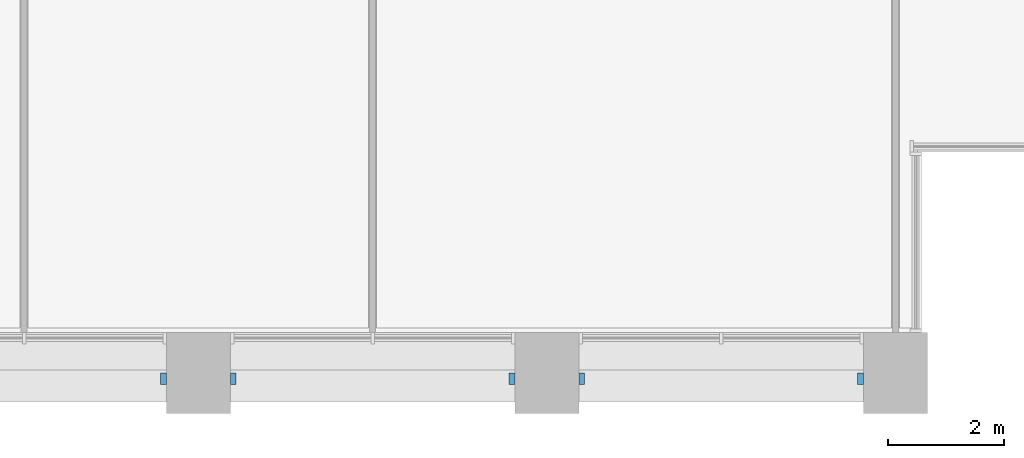
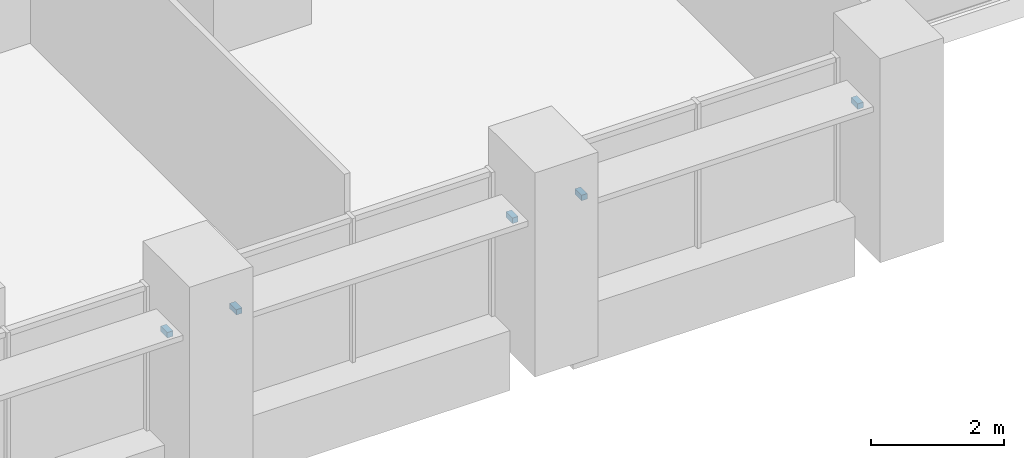
# One storey, part 16 of 18: 5 discrete accessories.
"""IFC4 building model written with IfcOpenShell, lengths in metres."""

from ifc_helpers import new_model, si_unit, direction, frame, origin, origin_2d, place, context, subcontext, project, spatial, rectangle, extrude, element, save


model = new_model("IFC4")

# Units and contexts
model_context = context("Model", 3, precision=1e-05, world=origin(), true_north=direction((0.0, 1.0)))
body_context = subcontext(model_context, "Body", "Model", "MODEL_VIEW")
ifc_project = project(units=[si_unit("LENGTHUNIT", "METRE"), si_unit("AREAUNIT", "SQUARE_METRE"), si_unit("VOLUMEUNIT", "CUBIC_METRE"), si_unit("PLANEANGLEUNIT", "RADIAN"), si_unit("MASSUNIT", "GRAM", prefix="KILO")], contexts=[model_context])

# Site, building, storey
site_placement = place(None, origin())
site = spatial("IfcSite", under=ifc_project, at=site_placement, CompositionType="ELEMENT")
building_placement = place(site_placement, origin())
building = spatial("IfcBuilding", under=site, at=building_placement, Name="Calvaro Tower", CompositionType="ELEMENT")
storey_placement = place(building_placement, frame((0.0, 0.0, 45.0)))
storey = spatial("IfcBuildingStorey", under=building, at=storey_placement, Name="L10", CompositionType="ELEMENT", Elevation=45.0)

# Discrete accessories
for number, where, z_axis, x_axis, name in (
    (1, (59.39990234375, 0.60009765625, 2.14990234375), (0.0, 0.0, 1.0), (1.0, 0.0, 0.0), "Brise-soleil bracket"),
    (2, (60.60009765625, 0.60009765625, 2.14990234375), (0.0, 0.0, 1.0), (1.0, 0.0, 0.0), "Brise-soleil bracket"),
    (3, (65.39990234375, 0.60009765625, 2.14990234375), (0.0, 0.0, 1.0), (1.0, 0.0, 0.0), "Brise-soleil bracket"),
    (4, (66.60009765625, 0.60009765625, 2.14990234375), (0.0, 0.0, 1.0), (1.0, 0.0, 0.0), "Brise-soleil bracket"),
    (5, (71.39990234375, 0.60009765625, 2.14990234375), (0.0, 0.0, 1.0), (1.0, 0.0, 0.0), "Brise-soleil bracket"),
):
    element("IfcDiscreteAccessory", number, at=place(storey_placement, frame(where, z_axis=z_axis, x_axis=x_axis)), inside=storey, Name=name, PredefinedType="BRACKET", context=body_context, shape_type="SweptSolid", body=[
        extrude(rectangle(XDim=0.10009765625, YDim=0.199951171875, at=origin_2d()), origin(), (0.0, 0.0, 1.0), 0.10009765625),
    ])

save(model, "model.ifc")
